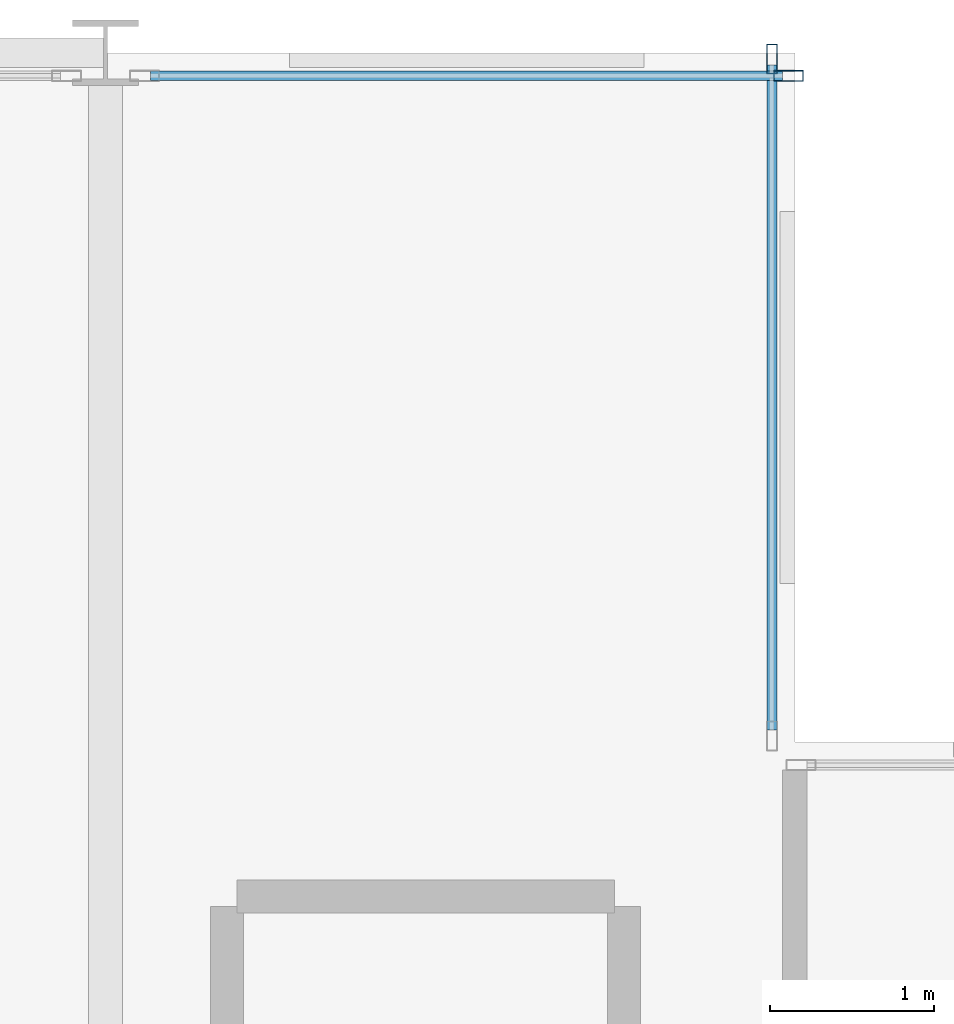
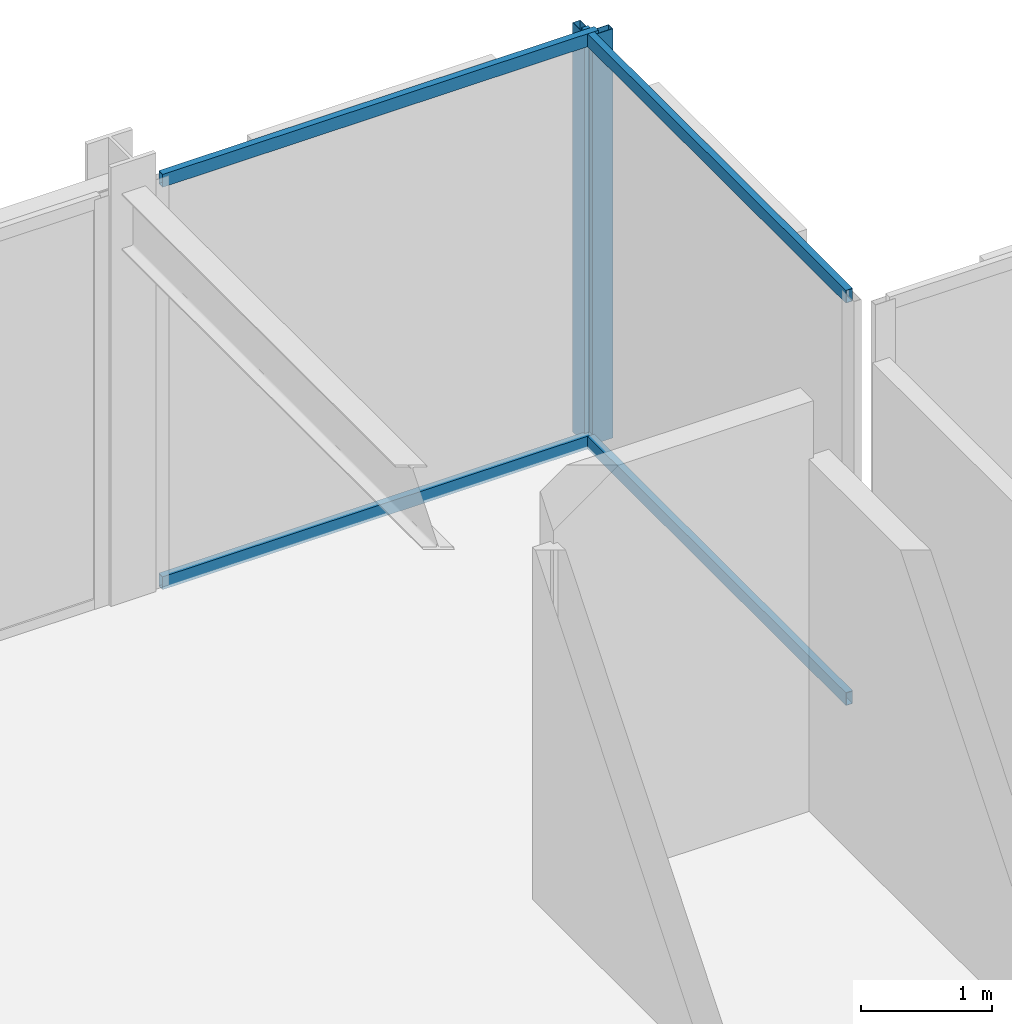
# One storey, part 22 of 29: 6 members, 2 elements without a shape of their own.
"""IFC4 building model written with IfcOpenShell, lengths in metres."""

from ifc_helpers import new_model, si_unit, direction, frame, origin, origin_2d, place, context, subcontext, project, spatial, hollow_rectangle, extrude, material, layer, layer_set, material_profile, profile_set, type_object, element, aggregate, save


model = new_model("IFC4")

# Units and contexts
model_context = context("Model", 3, precision=1e-05, world=origin(), true_north=direction((0.0, 1.0)))
body_context = subcontext(model_context, "Body", "Model", "MODEL_VIEW")
ifc_project = project(units=[si_unit("LENGTHUNIT", "METRE"), si_unit("AREAUNIT", "SQUARE_METRE"), si_unit("VOLUMEUNIT", "CUBIC_METRE"), si_unit("PLANEANGLEUNIT", "RADIAN"), si_unit("MASSUNIT", "GRAM", prefix="KILO")], contexts=[model_context])

# Site, building, storey
site_placement = place(None, origin())
site = spatial("IfcSite", under=ifc_project, at=site_placement, CompositionType="ELEMENT")
building_placement = place(site_placement, origin())
building = spatial("IfcBuilding", under=site, at=building_placement, Name="Nerrivon Quay Data Exchange", CompositionType="ELEMENT")
storey_placement = place(building_placement, frame((0.0, 0.0, 121.300048828125)))
storey = spatial("IfcBuildingStorey", under=building, at=storey_placement, Name="L28", CompositionType="ELEMENT", Elevation=121.300048828125)

# Curtain wall, member
ifc_material = material(Name="Anodised aluminium 6063-T6", Category="aluminium")
ifc_layer = layer(ifc_material, 0.2099609375)
ifc_layer_set = layer_set([ifc_layer], Name="Anodised aluminium 6063-T6")
curtain_wall_type = type_object("IfcCurtainWallType", Name="CW-SYS-02", PredefinedType="NOTDEFINED", material=ifc_layer_set)
curtain_wall_1_placement = place(storey_placement, origin())
curtain_wall_1 = element("IfcCurtainWall", 1, at=curtain_wall_1_placement, inside=storey, type_object=curtain_wall_type, Name="L28 Unitised Curtain Wall 20", PredefinedType="NOTDEFINED")
ifc_material_profile_1 = material_profile(ifc_material, hollow_rectangle(XDim=0.06494140625, YDim=0.179931640625, WallThickness=0.00341796875, at=origin_2d()), Name="ALU-MULL-180x65")
ifc_profile_set_1 = profile_set([ifc_material_profile_1], Name="Anodised aluminium 6063-T6")
member_type_1 = type_object("IfcMemberType", Name="CWM-180x65", PredefinedType="MULLION", material=ifc_profile_set_1)
member_1_placement = place(storey_placement, frame((20.96240234375, 50.260009765625, 0.0), z_axis=(0.0, 0.0, 1.0), x_axis=(0.0, 1.0, 0.0)))
member_1 = element("IfcMember", 2, at=member_1_placement, type_object=member_type_1, Name="CW02 mullion 2", PredefinedType="MULLION", context=body_context, shape_type="SweptSolid", body=[
    extrude(hollow_rectangle(XDim=0.06494140625, YDim=0.179931640625, WallThickness=0.00341796875, at=origin_2d()), origin(), (0.0, 0.0, 1.0), 3.824951171875),
])

curtain_wall_2_placement = place(storey_placement, origin())
curtain_wall_2 = element("IfcCurtainWall", 3, at=curtain_wall_2_placement, inside=storey, type_object=curtain_wall_type, Name="L28 Unitised Curtain Wall 21", PredefinedType="NOTDEFINED")
member_2_placement = place(storey_placement, frame((20.860107421875, 50.362548828125, 0.0), z_axis=(0.0, 0.0, 1.0), x_axis=(1.0, 0.0, 0.0)))
member_2 = element("IfcMember", 4, at=member_2_placement, type_object=member_type_1, Name="CW02 mullion 1", PredefinedType="MULLION", context=body_context, shape_type="SweptSolid", body=[
    extrude(hollow_rectangle(XDim=0.06494140625, YDim=0.179931640625, WallThickness=0.00341796875, at=origin_2d()), origin(), (0.0, 0.0, 1.0), 3.824951171875),
])

# Member
ifc_material_profile_2 = material_profile(ifc_material, hollow_rectangle(XDim=0.06005859375, YDim=0.1201171875, WallThickness=0.003173828125, at=origin_2d()), Name="ALU-TRAN-120x60")
ifc_profile_set_2 = profile_set([ifc_material_profile_2], Name="Anodised aluminium 6063-T6")
member_type_2 = type_object("IfcMemberType", Name="CWT-120x60", PredefinedType="USERDEFINED", material=ifc_profile_set_2)
member_3_placement = place(storey_placement, frame((17.074951171875, 50.260009765625, 0.032470703125), z_axis=(1.0, 0.0, 0.0), x_axis=(0.0, 1.0, 0.0)))
member_3 = element("IfcMember", 5, at=member_3_placement, type_object=member_type_2, Name="CW02 transom 1.1", ObjectType="TRANSOM", PredefinedType="USERDEFINED", context=body_context, shape_type="SweptSolid", body=[
    extrude(hollow_rectangle(XDim=0.06005859375, YDim=0.1201171875, WallThickness=0.003173828125, at=origin_2d()), origin(), (0.0, 0.0, 1.0), 3.85009765625),
])

member_4_placement = place(storey_placement, frame((17.074951171875, 50.260009765625, 3.79248046875), z_axis=(1.0, 0.0, 0.0), x_axis=(0.0, 1.0, 0.0)))
member_4 = element("IfcMember", 6, at=member_4_placement, type_object=member_type_2, Name="CW02 transom 1.2", ObjectType="TRANSOM", PredefinedType="USERDEFINED", context=body_context, shape_type="SweptSolid", body=[
    extrude(hollow_rectangle(XDim=0.06005859375, YDim=0.1201171875, WallThickness=0.003173828125, at=origin_2d()), origin(), (0.0, 0.0, 1.0), 3.85009765625),
])

aggregate(curtain_wall_1, [member_1, member_3, member_4])

member_5_placement = place(storey_placement, frame((20.860107421875, 50.324951171875, 0.032470703125), z_axis=(0.0, -1.0, 0.0), x_axis=(1.0, 0.0, 0.0)))
member_5 = element("IfcMember", 7, at=member_5_placement, type_object=member_type_2, Name="CW02 transom 1.1", ObjectType="TRANSOM", PredefinedType="USERDEFINED", context=body_context, shape_type="SweptSolid", body=[
    extrude(hollow_rectangle(XDim=0.06005859375, YDim=0.1201171875, WallThickness=0.003173828125, at=origin_2d()), origin(), (0.0, 0.0, 1.0), 4.050048828125),
])

member_6_placement = place(storey_placement, frame((20.860107421875, 50.324951171875, 3.79248046875), z_axis=(0.0, -1.0, 0.0), x_axis=(1.0, 0.0, 0.0)))
member_6 = element("IfcMember", 8, at=member_6_placement, type_object=member_type_2, Name="CW02 transom 1.2", ObjectType="TRANSOM", PredefinedType="USERDEFINED", context=body_context, shape_type="SweptSolid", body=[
    extrude(hollow_rectangle(XDim=0.06005859375, YDim=0.1201171875, WallThickness=0.003173828125, at=origin_2d()), origin(), (0.0, 0.0, 1.0), 4.050048828125),
])

aggregate(curtain_wall_2, [member_2, member_5, member_6])

save(model, "model.ifc")
